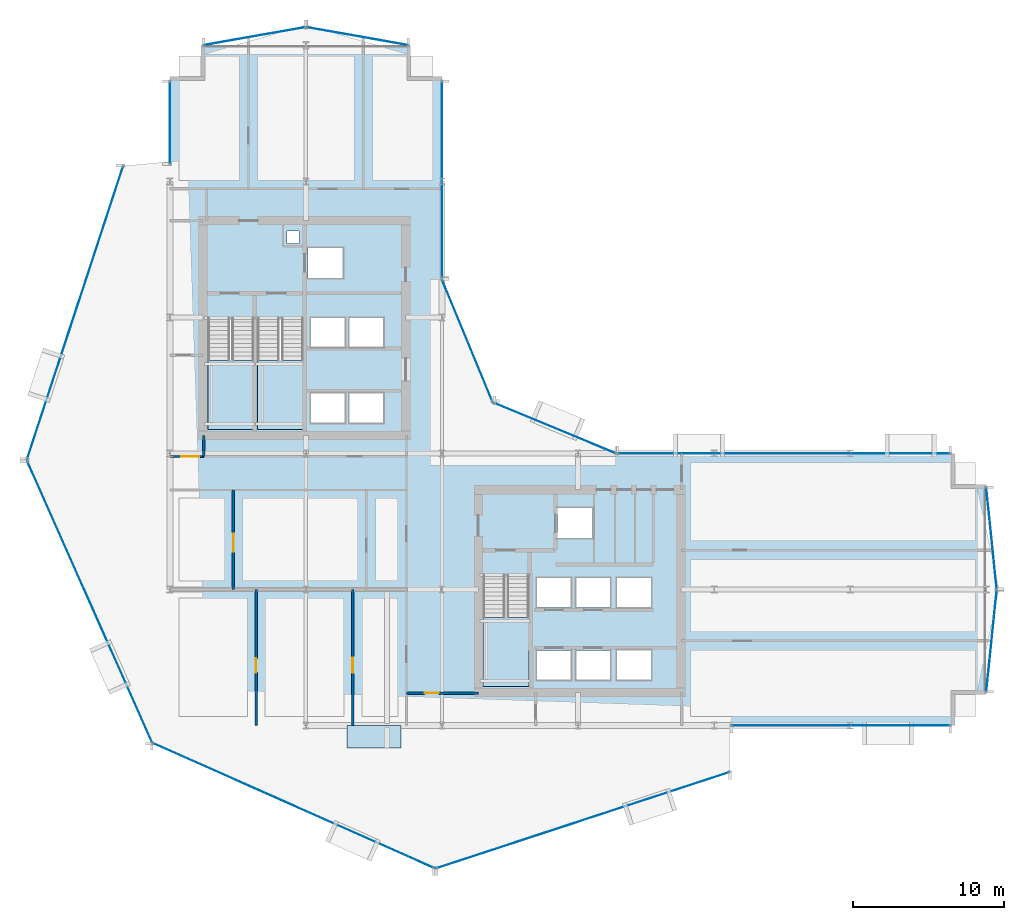
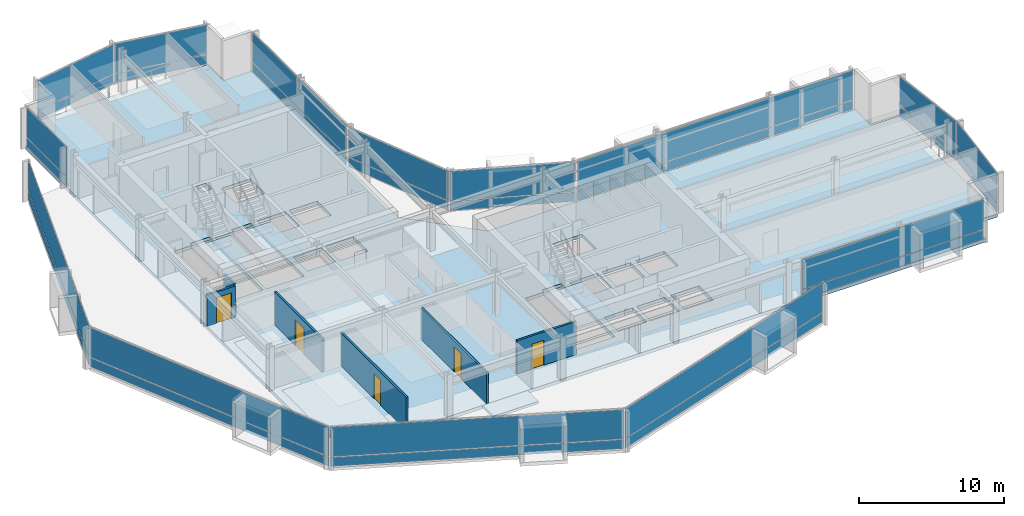
# One storey, part 26 of 34: 28 plates, 6 walls, 5 doors, 5 slabs, 5 openings, 17 elements without a shape of their own.
"""IFC4 building model written with IfcOpenShell, lengths in metres."""

from ifc_helpers import new_model, si_unit, direction, frame, frame_2d, origin, origin_2d, place, context, subcontext, project, spatial, polyline, rectangle, outline, extrude, material, layer, layer_set, type_object, element, fill, aggregate, save


model = new_model("IFC4")

# Units and contexts
model_context = context("Model", 3, precision=1e-05, world=origin(), true_north=direction((0.0, 1.0)))
body_context = subcontext(model_context, "Body", "Model", "MODEL_VIEW")
ifc_project = project(units=[si_unit("LENGTHUNIT", "METRE"), si_unit("AREAUNIT", "SQUARE_METRE"), si_unit("VOLUMEUNIT", "CUBIC_METRE"), si_unit("PLANEANGLEUNIT", "RADIAN"), si_unit("MASSUNIT", "GRAM", prefix="KILO")], contexts=[model_context])

# Site, building, storey
site_placement = place(None, origin())
site = spatial("IfcSite", under=ifc_project, at=site_placement, CompositionType="ELEMENT")
building_placement = place(site_placement, origin())
building = spatial("IfcBuilding", under=site, at=building_placement, Name="Solvaryn Broadcast Tower", CompositionType="ELEMENT")
storey_placement = place(building_placement, frame((0.0, 0.0, 69.300048828125)))
storey = spatial("IfcBuildingStorey", under=building, at=storey_placement, Name="L16", CompositionType="ELEMENT", Elevation=69.300048828125)

# Curtain wall, plates
ifc_material_1 = material(Name="Aluminium and Terracotta Unitised Curtain Wall", Category="masonry")
ifc_layer_1 = layer(ifc_material_1, 0.199951171875)
ifc_layer_set_1 = layer_set([ifc_layer_1], Name="CW-SYS2-LOWMID")
curtain_wall_type_1 = type_object("IfcCurtainWallType", Name="CW-SYS2-LOWMID", PredefinedType="NOTDEFINED", material=ifc_layer_set_1)
curtain_wall_1_placement = place(storey_placement, origin())
curtain_wall_1 = element("IfcCurtainWall", 1, at=curtain_wall_1_placement, inside=storey, type_object=curtain_wall_type_1, Name="L16 Curtain Wall DR1", PredefinedType="NOTDEFINED")
ifc_material_2 = material(Name="Kiln-Fired Architectural Terracotta Spandrel", Category="masonry")
ifc_layer_2 = layer(ifc_material_2, 0.048095703125)
ifc_layer_set_2 = layer_set([ifc_layer_2], Name="CW-PNL-TERRACOTTA")
plate_type = type_object("IfcPlateType", Name="CW-PNL-TERRACOTTA", PredefinedType="CURTAIN_PANEL", material=ifc_layer_set_2)
plate_1_placement = place(storey_placement, frame((2.72607421875, 36.2880859375, 0.06005859375), z_axis=(0.0, 0.0, 1.0), x_axis=(-0.311594044587, -0.950215318429, 0.0)))
plate_1 = element("IfcPlate", 2, at=plate_1_placement, type_object=plate_type, Name="CWS2 panel 1.1", PredefinedType="CURTAIN_PANEL", context=body_context, shape_type="SweptSolid", body=[
    extrude(rectangle(XDim=20.35546875, YDim=0.028076171875, at=origin_2d()), origin(), (0.0, 0.0, 1.0), 0.760009765625),
])
plate_2_placement = place(storey_placement, frame((2.72607421875, 36.2880859375, 0.8798828125), z_axis=(0.0, 0.0, 1.0), x_axis=(-0.311594044587, -0.950215318429, 0.0)))
plate_2 = element("IfcPlate", 3, at=plate_2_placement, type_object=plate_type, Name="CWS2 panel 1.2", PredefinedType="CURTAIN_PANEL", context=body_context, shape_type="SweptSolid", body=[
    extrude(rectangle(XDim=20.35546875, YDim=0.028076171875, at=origin_2d()), origin(), (0.0, 0.0, 1.0), 2.47998046875),
])
aggregate(curtain_wall_1, [plate_1, plate_2])

ifc_material_3 = material(Name="Aluminium and Terracotta Unitised Curtain Wall", Category="masonry")
ifc_layer_3 = layer(ifc_material_3, 0.239990234375)
ifc_layer_set_3 = layer_set([ifc_layer_3], Name="CW-SYS3-BAYBOX")
curtain_wall_type_2 = type_object("IfcCurtainWallType", Name="CW-SYS3-BAYBOX", PredefinedType="NOTDEFINED", material=ifc_layer_set_3)
curtain_wall_2_placement = place(storey_placement, origin())
curtain_wall_2 = element("IfcCurtainWall", 4, at=curtain_wall_2_placement, inside=storey, type_object=curtain_wall_type_2, Name="L16 Curtain Wall DR2", PredefinedType="NOTDEFINED")
plate_3_placement = place(storey_placement, frame((3.69140625, 17.20361328125, 0.06005859375), z_axis=(0.0, 0.0, 1.0), x_axis=(0.405898286554, -0.913918257271, 0.0)))
plate_3 = element("IfcPlate", 5, at=plate_3_placement, type_object=plate_type, Name="CWS3 panel 1.1", PredefinedType="CURTAIN_PANEL", context=body_context, shape_type="SweptSolid", body=[
    extrude(rectangle(XDim=20.35546875, YDim=0.028076171875, at=origin_2d()), origin(), (0.0, 0.0, 1.0), 0.760009765625),
])
plate_4_placement = place(storey_placement, frame((3.69140625, 17.20361328125, 0.8798828125), z_axis=(0.0, 0.0, 1.0), x_axis=(0.405898286554, -0.913918257271, 0.0)))
plate_4 = element("IfcPlate", 6, at=plate_4_placement, type_object=plate_type, Name="CWS3 panel 1.2", PredefinedType="CURTAIN_PANEL", context=body_context, shape_type="SweptSolid", body=[
    extrude(rectangle(XDim=20.35546875, YDim=0.028076171875, at=origin_2d()), origin(), (0.0, 0.0, 1.0), 2.47998046875),
])
aggregate(curtain_wall_2, [plate_3, plate_4])

curtain_wall_3_placement = place(storey_placement, origin())
curtain_wall_3 = element("IfcCurtainWall", 7, at=curtain_wall_3_placement, inside=storey, type_object=curtain_wall_type_1, Name="L16 Curtain Wall DR3", PredefinedType="NOTDEFINED")
plate_5_placement = place(storey_placement, frame((17.20361328125, 3.69140625, 0.06005859375), z_axis=(0.0, 0.0, 1.0), x_axis=(0.913918257271, -0.405898286554, 0.0)))
plate_5 = element("IfcPlate", 8, at=plate_5_placement, type_object=plate_type, Name="CWS2 panel 1.1", PredefinedType="CURTAIN_PANEL", context=body_context, shape_type="SweptSolid", body=[
    extrude(rectangle(XDim=20.35546875, YDim=0.028076171875, at=origin_2d()), origin(), (0.0, 0.0, 1.0), 0.760009765625),
])
plate_6_placement = place(storey_placement, frame((17.20361328125, 3.69140625, 0.8798828125), z_axis=(0.0, 0.0, 1.0), x_axis=(0.913918257271, -0.405898286554, 0.0)))
plate_6 = element("IfcPlate", 9, at=plate_6_placement, type_object=plate_type, Name="CWS2 panel 1.2", PredefinedType="CURTAIN_PANEL", context=body_context, shape_type="SweptSolid", body=[
    extrude(rectangle(XDim=20.35546875, YDim=0.028076171875, at=origin_2d()), origin(), (0.0, 0.0, 1.0), 2.47998046875),
])
aggregate(curtain_wall_3, [plate_5, plate_6])

curtain_wall_4_placement = place(storey_placement, origin())
curtain_wall_4 = element("IfcCurtainWall", 10, at=curtain_wall_4_placement, inside=storey, type_object=curtain_wall_type_1, Name="L16 Curtain Wall DR4", PredefinedType="NOTDEFINED")
plate_7_placement = place(storey_placement, frame((36.2880859375, 2.72607421875, 0.06005859375), z_axis=(0.0, 0.0, 1.0), x_axis=(0.950215318429, 0.311594044587, 0.0)))
plate_7 = element("IfcPlate", 11, at=plate_7_placement, type_object=plate_type, Name="CWS2 panel 1.1", PredefinedType="CURTAIN_PANEL", context=body_context, shape_type="SweptSolid", body=[
    extrude(rectangle(XDim=20.35546875, YDim=0.028076171875, at=origin_2d()), origin(), (0.0, 0.0, 1.0), 0.760009765625),
])
plate_8_placement = place(storey_placement, frame((36.2880859375, 2.72607421875, 0.8798828125), z_axis=(0.0, 0.0, 1.0), x_axis=(0.950215318429, 0.311594044587, 0.0)))
plate_8 = element("IfcPlate", 12, at=plate_8_placement, type_object=plate_type, Name="CWS2 panel 1.2", PredefinedType="CURTAIN_PANEL", context=body_context, shape_type="SweptSolid", body=[
    extrude(rectangle(XDim=20.35546875, YDim=0.028076171875, at=origin_2d()), origin(), (0.0, 0.0, 1.0), 2.47998046875),
])
aggregate(curtain_wall_4, [plate_7, plate_8])

curtain_wall_5_placement = place(storey_placement, origin())
curtain_wall_5 = element("IfcCurtainWall", 13, at=curtain_wall_5_placement, inside=storey, type_object=curtain_wall_type_1, Name="L16 Curtain Wall W2", PredefinedType="NOTDEFINED")
plate_9_placement = place(storey_placement, frame((9.0, 48.883056640625, 0.06005859375), z_axis=(0.0, 0.0, 1.0), x_axis=(0.0, 1.0, 0.0)))
plate_9 = element("IfcPlate", 14, at=plate_9_placement, type_object=plate_type, Name="CWS2 panel 1.1", PredefinedType="CURTAIN_PANEL", context=body_context, shape_type="SweptSolid", body=[
    extrude(rectangle(XDim=5.4140625, YDim=0.028076171875, at=origin_2d()), origin(), (0.0, 0.0, 1.0), 0.760009765625),
])
plate_10_placement = place(storey_placement, frame((9.0, 48.883056640625, 0.8798828125), z_axis=(0.0, 0.0, 1.0), x_axis=(0.0, 1.0, 0.0)))
plate_10 = element("IfcPlate", 15, at=plate_10_placement, type_object=plate_type, Name="CWS2 panel 1.2", PredefinedType="CURTAIN_PANEL", context=body_context, shape_type="SweptSolid", body=[
    extrude(rectangle(XDim=5.4140625, YDim=0.028076171875, at=origin_2d()), origin(), (0.0, 0.0, 1.0), 2.47998046875),
])
aggregate(curtain_wall_5, [plate_9, plate_10])

curtain_wall_6_placement = place(storey_placement, origin())
curtain_wall_6 = element("IfcCurtainWall", 16, at=curtain_wall_6_placement, inside=storey, type_object=curtain_wall_type_1, Name="L16 Curtain Wall IV", PredefinedType="NOTDEFINED")
plate_11_placement = place(storey_placement, frame((27.0, 45.125, 0.06005859375), z_axis=(0.0, 0.0, 1.0), x_axis=(0.0, -1.0, 0.0)))
plate_11 = element("IfcPlate", 17, at=plate_11_placement, type_object=plate_type, Name="CWS2 panel 1.1", PredefinedType="CURTAIN_PANEL", context=body_context, shape_type="SweptSolid", body=[
    extrude(rectangle(XDim=12.929931640625, YDim=0.028076171875, at=origin_2d()), origin(), (0.0, 0.0, 1.0), 0.760009765625),
])
plate_12_placement = place(storey_placement, frame((27.0, 45.125, 0.8798828125), z_axis=(0.0, 0.0, 1.0), x_axis=(0.0, -1.0, 0.0)))
plate_12 = element("IfcPlate", 18, at=plate_12_placement, type_object=plate_type, Name="CWS2 panel 1.2", PredefinedType="CURTAIN_PANEL", context=body_context, shape_type="SweptSolid", body=[
    extrude(rectangle(XDim=12.929931640625, YDim=0.028076171875, at=origin_2d()), origin(), (0.0, 0.0, 1.0), 2.47998046875),
])
aggregate(curtain_wall_6, [plate_11, plate_12])

curtain_wall_7_placement = place(storey_placement, origin())
curtain_wall_7 = element("IfcCurtainWall", 19, at=curtain_wall_7_placement, inside=storey, type_object=curtain_wall_type_1, Name="L16 Curtain Wall CN1", PredefinedType="NOTDEFINED")
plate_13_placement = place(storey_placement, frame((34.43408203125, 28.68408203125, 0.06005859375), z_axis=(0.0, 0.0, 1.0), x_axis=(-0.923894983957, 0.382646127145, 0.0)))
plate_13 = element("IfcPlate", 20, at=plate_13_placement, type_object=plate_type, Name="CWS2 panel 1.1", PredefinedType="CURTAIN_PANEL", context=body_context, shape_type="SweptSolid", body=[
    extrude(rectangle(XDim=8.681884765625, YDim=0.028076171875, at=origin_2d()), origin(), (0.0, 0.0, 1.0), 0.760009765625),
])
plate_14_placement = place(storey_placement, frame((34.43408203125, 28.68408203125, 0.8798828125), z_axis=(0.0, 0.0, 1.0), x_axis=(-0.923894983957, 0.382646127145, 0.0)))
plate_14 = element("IfcPlate", 21, at=plate_14_placement, type_object=plate_type, Name="CWS2 panel 1.2", PredefinedType="CURTAIN_PANEL", context=body_context, shape_type="SweptSolid", body=[
    extrude(rectangle(XDim=8.681884765625, YDim=0.028076171875, at=origin_2d()), origin(), (0.0, 0.0, 1.0), 2.47998046875),
])
aggregate(curtain_wall_7, [plate_13, plate_14])

curtain_wall_8_placement = place(storey_placement, origin())
curtain_wall_8 = element("IfcCurtainWall", 22, at=curtain_wall_8_placement, inside=storey, type_object=curtain_wall_type_1, Name="L16 Curtain Wall CN2", PredefinedType="NOTDEFINED")
plate_15_placement = place(storey_placement, frame((28.68408203125, 34.43408203125, 0.06005859375), z_axis=(0.0, 0.0, 1.0), x_axis=(-0.382646127145, 0.923894983957, 0.0)))
plate_15 = element("IfcPlate", 23, at=plate_15_placement, type_object=plate_type, Name="CWS2 panel 1.1", PredefinedType="CURTAIN_PANEL", context=body_context, shape_type="SweptSolid", body=[
    extrude(rectangle(XDim=8.681884765625, YDim=0.028076171875, at=origin_2d()), origin(), (0.0, 0.0, 1.0), 0.760009765625),
])
plate_16_placement = place(storey_placement, frame((28.68408203125, 34.43408203125, 0.8798828125), z_axis=(0.0, 0.0, 1.0), x_axis=(-0.382646127145, 0.923894983957, 0.0)))
plate_16 = element("IfcPlate", 24, at=plate_16_placement, type_object=plate_type, Name="CWS2 panel 1.2", PredefinedType="CURTAIN_PANEL", context=body_context, shape_type="SweptSolid", body=[
    extrude(rectangle(XDim=8.681884765625, YDim=0.028076171875, at=origin_2d()), origin(), (0.0, 0.0, 1.0), 2.47998046875),
])
aggregate(curtain_wall_8, [plate_15, plate_16])

curtain_wall_9_placement = place(storey_placement, origin())
curtain_wall_9 = element("IfcCurtainWall", 25, at=curtain_wall_9_placement, inside=storey, type_object=curtain_wall_type_1, Name="L16 Curtain Wall S2", PredefinedType="NOTDEFINED")
plate_17_placement = place(storey_placement, frame((53.383056640625, 9.0, 0.06005859375), z_axis=(0.0, 0.0, 1.0), x_axis=(1.0, 0.0, 0.0)))
plate_17 = element("IfcPlate", 26, at=plate_17_placement, type_object=plate_type, Name="CWS2 panel 1.1", PredefinedType="CURTAIN_PANEL", context=body_context, shape_type="SweptSolid", body=[
    extrude(rectangle(XDim=14.4140625, YDim=0.028076171875, at=origin_2d()), origin(), (0.0, 0.0, 1.0), 0.760009765625),
])
plate_18_placement = place(storey_placement, frame((53.383056640625, 9.0, 0.8798828125), z_axis=(0.0, 0.0, 1.0), x_axis=(1.0, 0.0, 0.0)))
plate_18 = element("IfcPlate", 27, at=plate_18_placement, type_object=plate_type, Name="CWS2 panel 1.2", PredefinedType="CURTAIN_PANEL", context=body_context, shape_type="SweptSolid", body=[
    extrude(rectangle(XDim=14.4140625, YDim=0.028076171875, at=origin_2d()), origin(), (0.0, 0.0, 1.0), 2.47998046875),
])
aggregate(curtain_wall_9, [plate_17, plate_18])

curtain_wall_10_placement = place(storey_placement, origin())
curtain_wall_10 = element("IfcCurtainWall", 28, at=curtain_wall_10_placement, inside=storey, type_object=curtain_wall_type_1, Name="L16 Curtain Wall NT1", PredefinedType="NOTDEFINED")
plate_19_placement = place(storey_placement, frame((21.39990234375, 54.60009765625, 0.06005859375), z_axis=(0.0, 0.0, 1.0), x_axis=(-0.984783558819, 0.173785333901, 0.0)))
plate_19 = element("IfcPlate", 29, at=plate_19_placement, type_object=plate_type, Name="CWS2 panel 1.1", PredefinedType="CURTAIN_PANEL", context=body_context, shape_type="SweptSolid", body=[
    extrude(rectangle(XDim=6.78515625, YDim=0.028076171875, at=origin_2d()), origin(), (0.0, 0.0, 1.0), 0.760009765625),
])
plate_20_placement = place(storey_placement, frame((21.39990234375, 54.60009765625, 0.8798828125), z_axis=(0.0, 0.0, 1.0), x_axis=(-0.984783558819, 0.173785333901, 0.0)))
plate_20 = element("IfcPlate", 30, at=plate_20_placement, type_object=plate_type, Name="CWS2 panel 1.2", PredefinedType="CURTAIN_PANEL", context=body_context, shape_type="SweptSolid", body=[
    extrude(rectangle(XDim=6.78515625, YDim=0.028076171875, at=origin_2d()), origin(), (0.0, 0.0, 1.0), 2.47998046875),
])
aggregate(curtain_wall_10, [plate_19, plate_20])

curtain_wall_11_placement = place(storey_placement, origin())
curtain_wall_11 = element("IfcCurtainWall", 31, at=curtain_wall_11_placement, inside=storey, type_object=curtain_wall_type_1, Name="L16 Curtain Wall NT2", PredefinedType="NOTDEFINED")
plate_21_placement = place(storey_placement, frame((14.60009765625, 54.60009765625, 0.06005859375), z_axis=(0.0, 0.0, 1.0), x_axis=(-0.984783558819, -0.173785333901, 0.0)))
plate_21 = element("IfcPlate", 32, at=plate_21_placement, type_object=plate_type, Name="CWS2 panel 1.1", PredefinedType="CURTAIN_PANEL", context=body_context, shape_type="SweptSolid", body=[
    extrude(rectangle(XDim=6.78515625, YDim=0.028076171875, at=origin_2d()), origin(), (0.0, 0.0, 1.0), 0.760009765625),
])
plate_22_placement = place(storey_placement, frame((14.60009765625, 54.60009765625, 0.8798828125), z_axis=(0.0, 0.0, 1.0), x_axis=(-0.984783558819, -0.173785333901, 0.0)))
plate_22 = element("IfcPlate", 33, at=plate_22_placement, type_object=plate_type, Name="CWS2 panel 1.2", PredefinedType="CURTAIN_PANEL", context=body_context, shape_type="SweptSolid", body=[
    extrude(rectangle(XDim=6.78515625, YDim=0.028076171875, at=origin_2d()), origin(), (0.0, 0.0, 1.0), 2.47998046875),
])
aggregate(curtain_wall_11, [plate_21, plate_22])

curtain_wall_12_placement = place(storey_placement, origin())
curtain_wall_12 = element("IfcCurtainWall", 34, at=curtain_wall_12_placement, inside=storey, type_object=curtain_wall_type_1, Name="L16 Curtain Wall ET1", PredefinedType="NOTDEFINED")
plate_23_placement = place(storey_placement, frame((63.35009765625, 21.39990234375, 0.06005859375), z_axis=(0.0, 0.0, 1.0), x_axis=(0.10240004548, -0.99474329889, 0.0)))
plate_23 = element("IfcPlate", 35, at=plate_23_placement, type_object=plate_type, Name="CWS2 panel 1.1", PredefinedType="CURTAIN_PANEL", context=body_context, shape_type="SweptSolid", body=[
    extrude(rectangle(XDim=6.7158203125, YDim=0.028076171875, at=origin_2d()), origin(), (0.0, 0.0, 1.0), 0.760009765625),
])
plate_24_placement = place(storey_placement, frame((63.35009765625, 21.39990234375, 0.8798828125), z_axis=(0.0, 0.0, 1.0), x_axis=(0.10240004548, -0.99474329889, 0.0)))
plate_24 = element("IfcPlate", 36, at=plate_24_placement, type_object=plate_type, Name="CWS2 panel 1.2", PredefinedType="CURTAIN_PANEL", context=body_context, shape_type="SweptSolid", body=[
    extrude(rectangle(XDim=6.7158203125, YDim=0.028076171875, at=origin_2d()), origin(), (0.0, 0.0, 1.0), 2.47998046875),
])
aggregate(curtain_wall_12, [plate_23, plate_24])

curtain_wall_13_placement = place(storey_placement, origin())
curtain_wall_13 = element("IfcCurtainWall", 37, at=curtain_wall_13_placement, inside=storey, type_object=curtain_wall_type_1, Name="L16 Curtain Wall ET2", PredefinedType="NOTDEFINED")
plate_25_placement = place(storey_placement, frame((63.35009765625, 14.60009765625, 0.06005859375), z_axis=(0.0, 0.0, 1.0), x_axis=(-0.10240004548, -0.99474329889, 0.0)))
plate_25 = element("IfcPlate", 38, at=plate_25_placement, type_object=plate_type, Name="CWS2 panel 1.1", PredefinedType="CURTAIN_PANEL", context=body_context, shape_type="SweptSolid", body=[
    extrude(rectangle(XDim=6.7158203125, YDim=0.028076171875, at=origin_2d()), origin(), (0.0, 0.0, 1.0), 0.760009765625),
])
plate_26_placement = place(storey_placement, frame((63.35009765625, 14.60009765625, 0.8798828125), z_axis=(0.0, 0.0, 1.0), x_axis=(-0.10240004548, -0.99474329889, 0.0)))
plate_26 = element("IfcPlate", 39, at=plate_26_placement, type_object=plate_type, Name="CWS2 panel 1.2", PredefinedType="CURTAIN_PANEL", context=body_context, shape_type="SweptSolid", body=[
    extrude(rectangle(XDim=6.7158203125, YDim=0.028076171875, at=origin_2d()), origin(), (0.0, 0.0, 1.0), 2.47998046875),
])
aggregate(curtain_wall_13, [plate_25, plate_26])

curtain_wall_14_placement = place(storey_placement, origin())
curtain_wall_14 = element("IfcCurtainWall", 40, at=curtain_wall_14_placement, inside=storey, type_object=curtain_wall_type_1, Name="L16 Curtain Wall IH", PredefinedType="NOTDEFINED")
plate_27_placement = place(storey_placement, frame((49.625, 27.0, 0.06005859375), z_axis=(0.0, 0.0, 1.0), x_axis=(1.0, 0.0, 0.0)))
plate_27 = element("IfcPlate", 41, at=plate_27_placement, type_object=plate_type, Name="CWS2 panel 1.1", PredefinedType="CURTAIN_PANEL", context=body_context, shape_type="SweptSolid", body=[
    extrude(rectangle(XDim=21.929931640625, YDim=0.028076171875, at=origin_2d()), origin(), (0.0, 0.0, 1.0), 0.760009765625),
])
plate_28_placement = place(storey_placement, frame((49.625, 27.0, 0.8798828125), z_axis=(0.0, 0.0, 1.0), x_axis=(1.0, 0.0, 0.0)))
plate_28 = element("IfcPlate", 42, at=plate_28_placement, type_object=plate_type, Name="CWS2 panel 1.2", PredefinedType="CURTAIN_PANEL", context=body_context, shape_type="SweptSolid", body=[
    extrude(rectangle(XDim=21.929931640625, YDim=0.028076171875, at=origin_2d()), origin(), (0.0, 0.0, 1.0), 2.47998046875),
])
aggregate(curtain_wall_14, [plate_27, plate_28])

# Slab
ifc_material_4 = material(Name="Concrete f'c 60 MPa", Category="concrete")
ifc_layer_4 = layer(ifc_material_4, 0.2099609375)
ifc_layer_set_4 = layer_set([ifc_layer_4], Name="SL-BAYBOX-210")
slab_type_1 = type_object("IfcSlabType", Name="SL-BAYBOX-210", PredefinedType="FLOOR", material=ifc_layer_set_4)
slab_1_placement = place(storey_placement, frame((0.0, 0.0, -0.2099609375)))
element("IfcSlab", 43, at=slab_1_placement, inside=storey, type_object=slab_type_1, Name="L16 Projecting Bay-Box Slab 1", PredefinedType="FLOOR", context=body_context, shape_type="SweptSolid", body=[
    extrude(outline(polyline([(20.699951171875, 7.5), (24.300048828125, 7.5), (24.300048828125, 9.0), (20.699951171875, 9.0), (20.699951171875, 7.5)])), origin(), (0.0, 0.0, 1.0), 0.2099609375),
])

# Stair, slab
ifc_material_5 = material(Name="Concrete f'c 60 MPa", Category="concrete")
stair_type = type_object("IfcStairType", Name="ST-CORE", PredefinedType="HALF_TURN_STAIR", material=ifc_material_5)
stair_1_placement = place(storey_placement, origin())
stair_1 = element("IfcStair", 44, at=stair_1_placement, inside=storey, type_object=stair_type, Name="L16 ST1", PredefinedType="HALF_TURN_STAIR")
ifc_material_6 = material(Name="Concrete f'c 60 MPa", Category="concrete")
ifc_layer_5 = layer(ifc_material_6, 0.199951171875)
ifc_layer_set_5 = layer_set([ifc_layer_5], Name="SL-LANDING-200")
slab_type_2 = type_object("IfcSlabType", Name="SL-LANDING-200", PredefinedType="LANDING", material=ifc_layer_set_5)
slab_2_placement = place(storey_placement, frame((0.0, 0.0, 1.64990234375)))
slab_2 = element("IfcSlab", 45, at=slab_2_placement, type_object=slab_type_2, Name="ST1 landing 1", PredefinedType="LANDING", context=body_context, shape_type="SweptSolid", body=[
    extrude(outline(polyline([(11.52001953125, 33.159912109375), (11.52001953125, 28.60009765625), (14.550048828125, 28.60009765625), (14.550048828125, 33.159912109375), (11.52001953125, 33.159912109375)])), origin(), (0.0, 0.0, 1.0), 0.199951171875),
])
aggregate(stair_1, [slab_2])

stair_2_placement = place(storey_placement, origin())
stair_2 = element("IfcStair", 46, at=stair_2_placement, inside=storey, type_object=stair_type, Name="L16 ST2", PredefinedType="HALF_TURN_STAIR")
slab_3_placement = place(storey_placement, frame((0.0, 0.0, 1.64990234375)))
slab_3 = element("IfcSlab", 47, at=slab_3_placement, type_object=slab_type_2, Name="ST2 landing 1", PredefinedType="LANDING", context=body_context, shape_type="SweptSolid", body=[
    extrude(outline(polyline([(14.800048828125, 33.159912109375), (14.800048828125, 28.60009765625), (17.830078125, 28.60009765625), (17.830078125, 33.159912109375), (14.800048828125, 33.159912109375)])), origin(), (0.0, 0.0, 1.0), 0.199951171875),
])
aggregate(stair_2, [slab_3])

stair_3_placement = place(storey_placement, origin())
stair_3 = element("IfcStair", 48, at=stair_3_placement, inside=storey, type_object=stair_type, Name="L16 ST3", PredefinedType="HALF_TURN_STAIR")
slab_4_placement = place(storey_placement, frame((0.0, 0.0, 1.64990234375)))
slab_4 = element("IfcSlab", 49, at=slab_4_placement, type_object=slab_type_2, Name="ST3 landing 1", PredefinedType="LANDING", context=body_context, shape_type="SweptSolid", body=[
    extrude(outline(polyline([(29.719970703125, 16.159912109375), (29.719970703125, 11.60009765625), (32.75, 11.60009765625), (32.75, 16.159912109375), (29.719970703125, 16.159912109375)])), origin(), (0.0, 0.0, 1.0), 0.199951171875),
])
aggregate(stair_3, [slab_4])

# Slab
ifc_material_7 = material(Name="Concrete f'c 60 MPa", Category="concrete")
ifc_layer_6 = layer(ifc_material_7, 0.280029296875)
ifc_layer_set_6 = layer_set([ifc_layer_6], Name="SL-TWR-280")
slab_type_3 = type_object("IfcSlabType", Name="SL-TWR-280", PredefinedType="FLOOR", material=ifc_layer_set_6)
slab_5_placement = place(storey_placement, frame((0.0, 0.0, -0.280029296875)))
element("IfcSlab", 50, at=slab_5_placement, inside=storey, type_object=slab_type_3, Name="L16 Structural Floor Slab", PredefinedType="FLOOR", context=body_context, shape_type="SweptSolid", body=[
    extrude(outline(polyline([(11.199951171875, 9.0), (60.800048828125, 9.0), (60.800048828125, 11.199951171875), (63.0, 11.199951171875), (63.0, 24.800048828125), (60.800048828125, 24.800048828125), (60.800048828125, 27.0), (31.5, 27.0), (27.0, 31.5), (27.0, 51.800048828125), (24.800048828125, 51.800048828125), (24.800048828125, 54.0), (11.199951171875, 54.0), (11.199951171875, 51.800048828125), (9.0, 51.800048828125), (9.0, 11.199951171875), (11.199951171875, 11.199951171875), (11.199951171875, 9.0)]), holes=[polyline([(11.52001953125, 28.60009765625), (14.550048828125, 28.60009765625), (14.550048828125, 35.9599609375), (12.97998046875, 35.9599609375), (12.97998046875, 35.679931640625), (11.52001953125, 35.679931640625), (11.52001953125, 28.60009765625)]), polyline([(14.800048828125, 28.60009765625), (17.830078125, 28.60009765625), (17.830078125, 35.9599609375), (16.260009765625, 35.9599609375), (16.260009765625, 35.679931640625), (14.800048828125, 35.679931640625), (14.800048828125, 28.60009765625)]), polyline([(29.719970703125, 11.60009765625), (32.75, 11.60009765625), (32.75, 18.9599609375), (31.179931640625, 18.9599609375), (31.179931640625, 18.679931640625), (29.719970703125, 18.679931640625), (29.719970703125, 11.60009765625)]), polyline([(18.14990234375, 38.60009765625), (20.449951171875, 38.60009765625), (20.449951171875, 40.60009765625), (18.14990234375, 40.60009765625), (18.14990234375, 38.60009765625)]), polyline([(18.324951171875, 29.02490234375), (20.574951171875, 29.02490234375), (20.574951171875, 30.97509765625), (18.324951171875, 30.97509765625), (18.324951171875, 29.02490234375)]), polyline([(20.875, 29.02490234375), (23.125, 29.02490234375), (23.125, 30.97509765625), (20.875, 30.97509765625), (20.875, 29.02490234375)]), polyline([(18.324951171875, 34.02490234375), (20.574951171875, 34.02490234375), (20.574951171875, 35.97509765625), (18.324951171875, 35.97509765625), (18.324951171875, 34.02490234375)]), polyline([(20.875, 34.02490234375), (23.125, 34.02490234375), (23.125, 35.97509765625), (20.875, 35.97509765625), (20.875, 34.02490234375)]), polyline([(34.64990234375, 21.39990234375), (36.949951171875, 21.39990234375), (36.949951171875, 23.39990234375), (34.64990234375, 23.39990234375), (34.64990234375, 21.39990234375)]), polyline([(33.27490234375, 12.02490234375), (35.52490234375, 12.02490234375), (35.52490234375, 13.97509765625), (33.27490234375, 13.97509765625), (33.27490234375, 12.02490234375)]), polyline([(35.875, 12.02490234375), (38.125, 12.02490234375), (38.125, 13.97509765625), (35.875, 13.97509765625), (35.875, 12.02490234375)]), polyline([(33.27490234375, 16.824951171875), (35.52490234375, 16.824951171875), (35.52490234375, 18.77490234375), (33.27490234375, 18.77490234375), (33.27490234375, 16.824951171875)]), polyline([(35.875, 16.824951171875), (38.125, 16.824951171875), (38.125, 18.77490234375), (35.875, 18.77490234375), (35.875, 16.824951171875)]), polyline([(38.574951171875, 12.02490234375), (40.824951171875, 12.02490234375), (40.824951171875, 13.97509765625), (38.574951171875, 13.97509765625), (38.574951171875, 12.02490234375)]), polyline([(38.574951171875, 16.824951171875), (40.824951171875, 16.824951171875), (40.824951171875, 18.77490234375), (38.574951171875, 18.77490234375), (38.574951171875, 16.824951171875)]), polyline([(16.75, 40.89990234375), (17.550048828125, 40.89990234375), (17.550048828125, 41.699951171875), (16.75, 41.699951171875), (16.75, 40.89990234375)])]), origin(), (0.0, 0.0, 1.0), 0.280029296875),
])

# Wall, opening, door
ifc_material_8 = material(Name="Metal-Stud Gypsum Office Partition")
ifc_layer_7 = layer(ifc_material_8, 0.159912109375)
ifc_layer_set_7 = layer_set([ifc_layer_7], Name="IW-PART-160")
wall_type = type_object("IfcWallType", Name="IW-PART-160", PredefinedType="PARTITIONING", material=ifc_layer_set_7)
wall_1_placement = place(storey_placement, frame((9.0, 26.800048828125, 0.0), z_axis=(0.0, 0.0, 1.0), x_axis=(1.0, 0.0, 0.0)))
wall_1 = element("IfcWall", 51, at=wall_1_placement, inside=storey, type_object=wall_type, Name="L16 Interior Partition IW-L16-WM-S", PredefinedType="PARTITIONING", context=body_context, shape_type="SweptSolid", body=[
    extrude(rectangle(XDim=2.25, YDim=0.159912109375, at=frame_2d((1.125, 0.0))), origin(), (0.0, 0.0, 1.0), 2.626953125),
])
opening_1_placement = place(wall_1_placement, frame((0.75, 0.0, 0.0)))
opening_1 = element("IfcOpeningElement", 52, at=opening_1_placement, cuts=wall_1, Name="Opening ID04", PredefinedType="OPENING", context=body_context, shape_type="SweptSolid", body=[
    extrude(rectangle(XDim=1.199951171875, YDim=2.14990234375, at=frame_2d((0.60009765625, 1.074951171875))), frame((0.0, 0.090087890625, 0.0), z_axis=(0.0, -1.0, 0.0), x_axis=(1.0, 0.0, 0.0)), (0.0, 0.0, 1.0), 0.179931640625),
])
ifc_material_9 = material(Name="Flush Acoustic Steel and Timber Door Assembly", Category="steel")
door_type_1 = type_object("IfcDoorType", Name="ID-04-1200X2150", OperationType="NOTDEFINED", PredefinedType="DOOR", material=ifc_material_9)
door_1_placement = place(opening_1_placement, origin())
door_1 = element("IfcDoor", 53, at=door_1_placement, inside=storey, type_object=door_type_1, Name="L16 Door DR-L16-WM0", OperationType="SINGLE_SWING_RIGHT", OverallHeight=2.14990234375, OverallWidth=1.199951171875, PredefinedType="DOOR", context=body_context, shape_type="SweptSolid", body=[
    extrude(rectangle(XDim=1.199951171875, YDim=2.14990234375, at=frame_2d((0.60009765625, 1.074951171875))), frame((0.0, 0.02490234375, 0.0), z_axis=(0.0, -1.0, 0.0), x_axis=(1.0, 0.0, 0.0)), (0.0, 0.0, 1.0), 0.050048828125),
])
fill(opening_1, door_1)

# Wall
wall_2_placement = place(storey_placement, frame((11.25, 26.800048828125, 0.0), z_axis=(0.0, 0.0, 1.0), x_axis=(0.0, 1.0, 0.0)))
element("IfcWall", 54, at=wall_2_placement, inside=storey, type_object=wall_type, Name="L16 Interior Partition IW-L16-SW-ALW", PredefinedType="PARTITIONING", context=body_context, shape_type="SweptSolid", body=[
    extrude(rectangle(XDim=1.39990234375, YDim=0.159912109375, at=frame_2d((0.699951171875, 0.0))), origin(), (0.0, 0.0, 1.0), 2.7890625),
])

# Wall, opening, door
wall_3_placement = place(storey_placement, frame((13.199951171875, 18.0, 0.0), z_axis=(0.0, 0.0, 1.0), x_axis=(0.0, 1.0, 0.0)))
wall_3 = element("IfcWall", 55, at=wall_3_placement, inside=storey, type_object=wall_type, Name="L16 Interior Partition IW-L16-SWN-V1", PredefinedType="PARTITIONING", context=body_context, shape_type="SweptSolid", body=[
    extrude(rectangle(XDim=6.580078125, YDim=0.159912109375, at=frame_2d((3.2900390625, 0.0))), origin(), (0.0, 0.0, 1.0), 2.7890625),
])
opening_2_placement = place(wall_3_placement, frame((2.5, 0.0, 0.0)))
opening_2 = element("IfcOpeningElement", 56, at=opening_2_placement, cuts=wall_3, Name="Opening ID04", PredefinedType="OPENING", context=body_context, shape_type="SweptSolid", body=[
    extrude(rectangle(XDim=1.199951171875, YDim=2.14990234375, at=frame_2d((0.60009765625, 1.074951171875))), frame((0.0, 0.090087890625, 0.0), z_axis=(0.0, -1.0, 0.0), x_axis=(1.0, 0.0, 0.0)), (0.0, 0.0, 1.0), 0.179931640625),
])
door_2_placement = place(opening_2_placement, origin())
door_2 = element("IfcDoor", 57, at=door_2_placement, inside=storey, type_object=door_type_1, Name="L16 Door DR-L16-SWN-1", OperationType="SINGLE_SWING_LEFT", OverallHeight=2.14990234375, OverallWidth=1.199951171875, PredefinedType="DOOR", context=body_context, shape_type="SweptSolid", body=[
    extrude(rectangle(XDim=1.199951171875, YDim=2.14990234375, at=frame_2d((0.60009765625, 1.074951171875))), frame((0.0, 0.02490234375, 0.0), z_axis=(0.0, -1.0, 0.0), x_axis=(1.0, 0.0, 0.0)), (0.0, 0.0, 1.0), 0.050048828125),
])
fill(opening_2, door_2)

wall_4_placement = place(storey_placement, frame((14.699951171875, 9.0, 0.0), z_axis=(0.0, 0.0, 1.0), x_axis=(0.0, 1.0, 0.0)))
wall_4 = element("IfcWall", 58, at=wall_4_placement, inside=storey, type_object=wall_type, Name="L16 Interior Partition IW-L16-SWS-V1", PredefinedType="PARTITIONING", context=body_context, shape_type="SweptSolid", body=[
    extrude(rectangle(XDim=9.0, YDim=0.159912109375, at=frame_2d((4.5, 0.0))), origin(), (0.0, 0.0, 1.0), 2.7890625),
])
opening_3_placement = place(wall_4_placement, frame((3.5, 0.0, 0.0)))
opening_3 = element("IfcOpeningElement", 59, at=opening_3_placement, cuts=wall_4, Name="Opening ID01", PredefinedType="OPENING", context=body_context, shape_type="SweptSolid", body=[
    extrude(rectangle(XDim=0.949951171875, YDim=2.10009765625, at=frame_2d((0.47509765625, 1.050048828125))), frame((0.0, 0.090087890625, 0.0), z_axis=(0.0, -1.0, 0.0), x_axis=(1.0, 0.0, 0.0)), (0.0, 0.0, 1.0), 0.179931640625),
])
ifc_material_10 = material(Name="Flush Acoustic Steel and Timber Door Assembly", Category="steel")
door_type_2 = type_object("IfcDoorType", Name="ID-01-950X2100", OperationType="NOTDEFINED", PredefinedType="DOOR", material=ifc_material_10)
door_3_placement = place(opening_3_placement, origin())
door_3 = element("IfcDoor", 60, at=door_3_placement, inside=storey, type_object=door_type_2, Name="L16 Door DR-L16-SWS-1", OperationType="SINGLE_SWING_LEFT", OverallHeight=2.10009765625, OverallWidth=0.949951171875, PredefinedType="DOOR", context=body_context, shape_type="SweptSolid", body=[
    extrude(rectangle(XDim=0.949951171875, YDim=2.10009765625, at=frame_2d((0.47509765625, 1.050048828125))), frame((0.0, 0.02490234375, 0.0), z_axis=(0.0, -1.0, 0.0), x_axis=(1.0, 0.0, 0.0)), (0.0, 0.0, 1.0), 0.050048828125),
])
fill(opening_3, door_3)

wall_5_placement = place(storey_placement, frame((21.10009765625, 9.0, 0.0), z_axis=(0.0, 0.0, 1.0), x_axis=(0.0, 1.0, 0.0)))
wall_5 = element("IfcWall", 61, at=wall_5_placement, inside=storey, type_object=wall_type, Name="L16 Interior Partition IW-L16-SWS-V2", PredefinedType="PARTITIONING", context=body_context, shape_type="SweptSolid", body=[
    extrude(rectangle(XDim=9.0, YDim=0.159912109375, at=frame_2d((4.5, 0.0))), origin(), (0.0, 0.0, 1.0), 2.626953125),
])
opening_4_placement = place(wall_5_placement, frame((3.5, 0.0, 0.0)))
opening_4 = element("IfcOpeningElement", 62, at=opening_4_placement, cuts=wall_5, Name="Opening ID02", PredefinedType="OPENING", context=body_context, shape_type="SweptSolid", body=[
    extrude(rectangle(XDim=1.0, YDim=2.10009765625, at=frame_2d((0.5, 1.050048828125))), frame((0.0, 0.090087890625, 0.0), z_axis=(0.0, -1.0, 0.0), x_axis=(1.0, 0.0, 0.0)), (0.0, 0.0, 1.0), 0.179931640625),
])
ifc_material_11 = material(Name="Flush Acoustic Steel and Timber Door Assembly", Category="steel")
door_type_3 = type_object("IfcDoorType", Name="ID-02-1000X2100", OperationType="NOTDEFINED", PredefinedType="DOOR", material=ifc_material_11)
door_4_placement = place(opening_4_placement, origin())
door_4 = element("IfcDoor", 63, at=door_4_placement, inside=storey, type_object=door_type_3, Name="L16 Door DR-L16-SWS-2", OperationType="SINGLE_SWING_RIGHT", OverallHeight=2.10009765625, OverallWidth=1.0, PredefinedType="DOOR", context=body_context, shape_type="SweptSolid", body=[
    extrude(rectangle(XDim=1.0, YDim=2.10009765625, at=frame_2d((0.5, 1.050048828125))), frame((0.0, 0.02490234375, 0.0), z_axis=(0.0, -1.0, 0.0), x_axis=(1.0, 0.0, 0.0)), (0.0, 0.0, 1.0), 0.050048828125),
])
fill(opening_4, door_4)

wall_6_placement = place(storey_placement, frame((24.64990234375, 11.14990234375, 0.0), z_axis=(0.0, 0.0, 1.0), x_axis=(1.0, 0.0, 0.0)))
wall_6 = element("IfcWall", 64, at=wall_6_placement, inside=storey, type_object=wall_type, Name="L16 Interior Partition IW-L16-SC-N", PredefinedType="PARTITIONING", context=body_context, shape_type="SweptSolid", body=[
    extrude(rectangle(XDim=4.75, YDim=0.159912109375, at=frame_2d((2.375, 0.0))), origin(), (0.0, 0.0, 1.0), 2.7919921875),
])
opening_5_placement = place(wall_6_placement, frame((1.199951171875, 0.0, 0.0)))
opening_5 = element("IfcOpeningElement", 65, at=opening_5_placement, cuts=wall_6, Name="Opening ID01", PredefinedType="OPENING", context=body_context, shape_type="SweptSolid", body=[
    extrude(rectangle(XDim=0.949951171875, YDim=2.10009765625, at=frame_2d((0.47509765625, 1.050048828125))), frame((0.0, 0.090087890625, 0.0), z_axis=(0.0, -1.0, 0.0), x_axis=(1.0, 0.0, 0.0)), (0.0, 0.0, 1.0), 0.179931640625),
])
door_5_placement = place(opening_5_placement, origin())
door_5 = element("IfcDoor", 66, at=door_5_placement, inside=storey, type_object=door_type_2, Name="L16 Door DR-L16-SC0", OperationType="SINGLE_SWING_RIGHT", OverallHeight=2.10009765625, OverallWidth=0.949951171875, PredefinedType="DOOR", context=body_context, shape_type="SweptSolid", body=[
    extrude(rectangle(XDim=0.949951171875, YDim=2.10009765625, at=frame_2d((0.47509765625, 1.050048828125))), frame((0.0, 0.02490234375, 0.0), z_axis=(0.0, -1.0, 0.0), x_axis=(1.0, 0.0, 0.0)), (0.0, 0.0, 1.0), 0.050048828125),
])
fill(opening_5, door_5)

save(model, "model.ifc")
